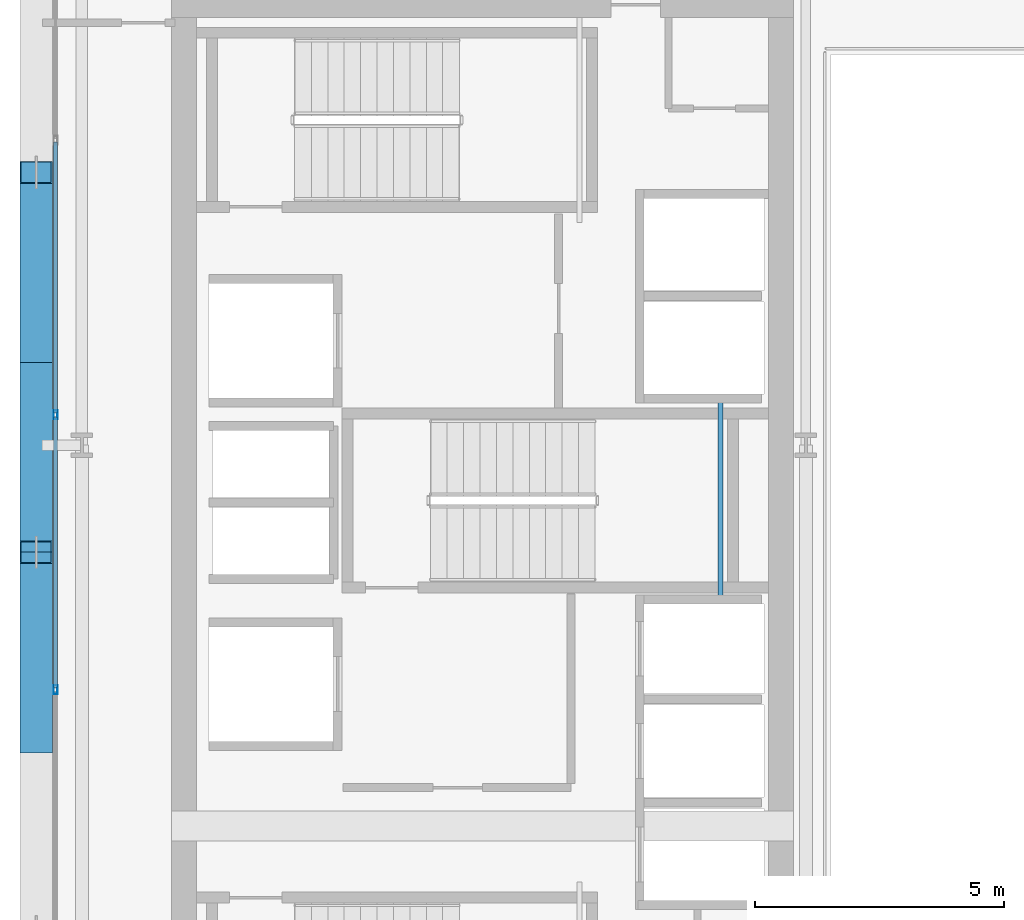
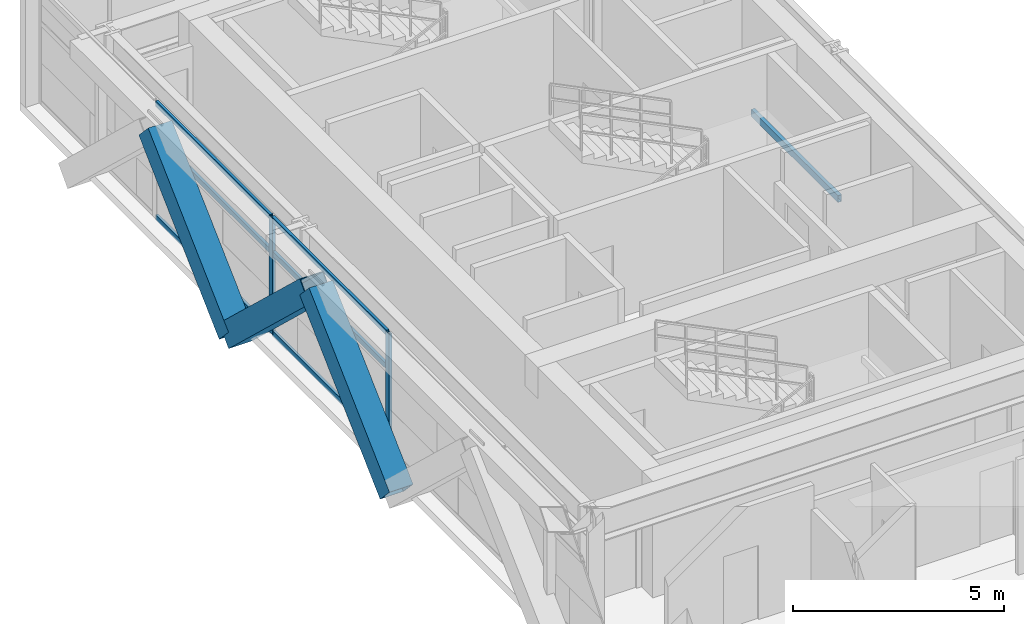
# One storey, part 7 of 31: 11 members, 1 beam, 1 element without a shape of its own.
"""IFC4 building model written with IfcOpenShell, lengths in metres."""

from ifc_helpers import new_model, si_unit, direction, frame, origin, origin_2d, place, context, subcontext, project, spatial, hollow_rectangle, extrude, source, transform, mapped, material, layer, layer_set, material_profile, profile_set, type_object, element, aggregate, save


model = new_model("IFC4")

# Units and contexts
model_context = context("Model", 3, precision=1e-05, world=origin(), true_north=direction((0.0, 1.0)))
body_context = subcontext(model_context, "Body", "Model", "MODEL_VIEW")
ifc_project = project(units=[si_unit("LENGTHUNIT", "METRE"), si_unit("AREAUNIT", "SQUARE_METRE"), si_unit("VOLUMEUNIT", "CUBIC_METRE"), si_unit("PLANEANGLEUNIT", "RADIAN"), si_unit("MASSUNIT", "GRAM", prefix="KILO")], contexts=[model_context])

# Site, building, storey
site_placement = place(None, origin())
site = spatial("IfcSite", under=ifc_project, at=site_placement, CompositionType="ELEMENT")
building_placement = place(site_placement, origin())
building = spatial("IfcBuilding", under=site, at=building_placement, Name="Ocotamira Hotel", CompositionType="ELEMENT")
storey_placement = place(building_placement, frame((0.0, 0.0, 188.39990234375)))
storey = spatial("IfcBuildingStorey", under=building, at=storey_placement, Name="L47", CompositionType="ELEMENT", Elevation=188.39990234375)

# Beam
ifc_material_1 = material(Name="Steel ASTM A500 Grade C", Category="steel")
ifc_material_profile_1 = material_profile(ifc_material_1, hollow_rectangle(XDim=0.10009765625, YDim=0.199951171875, WallThickness=0.008056640625, at=origin_2d()), Name="HSS200X100X8")
ifc_profile_set_1 = profile_set([ifc_material_profile_1], Name="Steel ASTM A500 Grade C")
beam_type = type_object("IfcBeamType", Name="BM-STLDG-HSS200", PredefinedType="BEAM", material=ifc_profile_set_1)
shared_shape_1 = source(origin(), body_context, "Body", "SweptSolid", [
    extrude(hollow_rectangle(XDim=0.10009765625, YDim=0.199951171875, WallThickness=0.008056640625, at=origin_2d()), origin(), (0.0, 0.0, 1.0), 4.1201171875),
])
beam_placement = place(storey_placement, frame((21.780029296875, 24.97998046875, 1.5), z_axis=(0.0, 1.0, 0.0), x_axis=(-1.0, 0.0, 0.0)))
element("IfcBeam", 1, at=beam_placement, inside=storey, type_object=beam_type, Name="L47 Stair ST-3 Landing Bearer 1", PredefinedType="BEAM", context=body_context, shape_type="MappedRepresentation", body=[
    mapped(shared_shape_1, transform((0.0, 0.0, 0.0), scale=1.0)),
])

# Members
ifc_material_2 = material(Name="Pale-metal coated steel ASTM A913 Grade 65", Category="steel")
ifc_material_profile_2 = material_profile(ifc_material_2, hollow_rectangle(XDim=0.64990234375, YDim=0.64990234375, WallThickness=0.02197265625, at=origin_2d()), Name="BOX650X650X22")
ifc_profile_set_2 = profile_set([ifc_material_profile_2], Name="Pale-metal coated steel ASTM A913 Grade 65")
member_type_1 = type_object("IfcMemberType", Name="MEM-EXO-BOX650", PredefinedType="BRACE", material=ifc_profile_set_2)
shared_shape_2 = source(origin(), body_context, "Body", "SweptSolid", [
    extrude(hollow_rectangle(XDim=0.64990234375, YDim=0.64990234375, WallThickness=0.02197265625, at=origin_2d()), origin(), (0.0, 0.0, 1.0), 5.24658203125),
])
for number, where, z_axis, x_axis, name in (
    (2, (8.030029296875, 22.183349609375, -0.47998046875), (0.0, 0.727442733726, 0.686168397078), (-1.0, 0.0, 0.0), "L47 Exoskeleton Diagrid W1.1"),
    (3, (8.030029296875, 29.816650390625, -0.47998046875), (0.0, -0.727442733726, 0.686168397078), (1.0, 0.0, 0.0), "L47 Exoskeleton Diagrid W1.2"),
    (4, (8.030029296875, 29.816650390625, -0.47998046875), (0.0, 0.727442733726, 0.686168397078), (-1.0, 0.0, 0.0), "L47 Exoskeleton Diagrid W2.1"),
):
    element("IfcMember", number, at=place(storey_placement, frame(where, z_axis=z_axis, x_axis=x_axis)), inside=storey, type_object=member_type_1, Name=name, PredefinedType="BRACE", context=body_context, shape_type="MappedRepresentation", body=[
        mapped(shared_shape_2, transform((0.0, 0.0, 0.0), scale=1.0)),
    ])

# Curtain wall, members
ifc_material_3 = material(Name="Anodised pale-metal aluminium and solar glass", Category="aluminium")
ifc_layer = layer(ifc_material_3, 0.199951171875)
ifc_layer_set = layer_set([ifc_layer], Name="Anodised pale-metal aluminium and solar glass")
curtain_wall_type = type_object("IfcCurtainWallType", Name="CW-SYS4-Z3", PredefinedType="NOTDEFINED", material=ifc_layer_set)
curtain_wall_placement = place(storey_placement, origin())
curtain_wall = element("IfcCurtainWall", 5, at=curtain_wall_placement, inside=storey, type_object=curtain_wall_type, Name="L47 Curtain Wall CW-4 CW-L47-W", PredefinedType="NOTDEFINED")
ifc_material_4 = material(Name="Anodised pale-metal aluminium 6063-T6", Category="aluminium")
ifc_material_profile_3 = material_profile(ifc_material_4, hollow_rectangle(XDim=0.080078125, YDim=0.179931640625, WallThickness=0.006103515625, at=origin_2d()), Name="HSS180X80X6")
ifc_profile_set_3 = profile_set([ifc_material_profile_3], Name="Anodised pale-metal aluminium 6063-T6")
member_type_2 = type_object("IfcMemberType", Name="CWM-180X75", PredefinedType="MULLION", material=ifc_profile_set_3)
shared_shape_3 = source(origin(), body_context, "Body", "SweptSolid", [
    extrude(hollow_rectangle(XDim=0.080078125, YDim=0.179931640625, WallThickness=0.006103515625, at=origin_2d()), origin(), (0.0, 0.0, 1.0), 3.3701171875),
])
member_1_placement = place(storey_placement, frame((8.419921875, 23.239990234375, 0.0), z_axis=(0.0, 0.0, 1.0), x_axis=(-1.0, 0.0, 0.0)))
member_1 = element("IfcMember", 6, at=member_1_placement, type_object=member_type_2, Name="CW-4 mullion 3", PredefinedType="MULLION", context=body_context, shape_type="MappedRepresentation", body=[
    mapped(shared_shape_3, transform((0.0, 0.0, 0.0), scale=1.0)),
])
member_2_placement = place(storey_placement, frame((8.419921875, 28.760009765625, 0.0), z_axis=(0.0, 0.0, 1.0), x_axis=(-1.0, 0.0, 0.0)))
member_2 = element("IfcMember", 7, at=member_2_placement, type_object=member_type_2, Name="CW-4 mullion 4", PredefinedType="MULLION", context=body_context, shape_type="MappedRepresentation", body=[
    mapped(shared_shape_3, transform((0.0, 0.0, 0.0), scale=1.0)),
])
ifc_material_profile_4 = material_profile(ifc_material_4, hollow_rectangle(XDim=0.074951171875, YDim=0.14990234375, WallThickness=0.006103515625, at=origin_2d()), Name="HSS150X75X6")
ifc_profile_set_4 = profile_set([ifc_material_profile_4], Name="Anodised pale-metal aluminium 6063-T6")
member_type_3 = type_object("IfcMemberType", Name="CWT-150X75", PredefinedType="USERDEFINED", material=ifc_profile_set_4)
shared_shape_4 = source(origin(), body_context, "Body", "SweptSolid", [
    extrude(hollow_rectangle(XDim=0.074951171875, YDim=0.14990234375, WallThickness=0.006103515625, at=origin_2d()), origin(), (0.0, 0.0, 1.0), 5.43994140625),
])
member_3_placement = place(storey_placement, frame((8.419921875, 23.280029296875, 0.03759765625), z_axis=(0.0, 1.0, 0.0), x_axis=(-1.0, 0.0, 0.0)))
member_3 = element("IfcMember", 8, at=member_3_placement, type_object=member_type_3, Name="CW-4 transom 3.1", ObjectType="TRANSOM", PredefinedType="USERDEFINED", context=body_context, shape_type="MappedRepresentation", body=[
    mapped(shared_shape_4, transform((0.0, 0.0, 0.0), scale=1.0)),
])
member_4_placement = place(storey_placement, frame((8.419921875, 23.280029296875, 2.35009765625), z_axis=(0.0, 1.0, 0.0), x_axis=(-1.0, 0.0, 0.0)))
member_4 = element("IfcMember", 9, at=member_4_placement, type_object=member_type_3, Name="CW-4 transom 3.2", ObjectType="TRANSOM", PredefinedType="USERDEFINED", context=body_context, shape_type="MappedRepresentation", body=[
    mapped(shared_shape_4, transform((0.0, 0.0, 0.0), scale=1.0)),
])
member_5_placement = place(storey_placement, frame((8.419921875, 23.280029296875, 3.33251953125), z_axis=(0.0, 1.0, 0.0), x_axis=(-1.0, 0.0, 0.0)))
member_5 = element("IfcMember", 10, at=member_5_placement, type_object=member_type_3, Name="CW-4 transom 3.3", ObjectType="TRANSOM", PredefinedType="USERDEFINED", context=body_context, shape_type="MappedRepresentation", body=[
    mapped(shared_shape_4, transform((0.0, 0.0, 0.0), scale=1.0)),
])
member_6_placement = place(storey_placement, frame((8.419921875, 28.800048828125, 0.03759765625), z_axis=(0.0, 1.0, 0.0), x_axis=(-1.0, 0.0, 0.0)))
member_6 = element("IfcMember", 11, at=member_6_placement, type_object=member_type_3, Name="CW-4 transom 4.1", ObjectType="TRANSOM", PredefinedType="USERDEFINED", context=body_context, shape_type="MappedRepresentation", body=[
    mapped(shared_shape_4, transform((0.0, 0.0, 0.0), scale=1.0)),
])
member_7_placement = place(storey_placement, frame((8.419921875, 28.800048828125, 2.35009765625), z_axis=(0.0, 1.0, 0.0), x_axis=(-1.0, 0.0, 0.0)))
member_7 = element("IfcMember", 12, at=member_7_placement, type_object=member_type_3, Name="CW-4 transom 4.2", ObjectType="TRANSOM", PredefinedType="USERDEFINED", context=body_context, shape_type="MappedRepresentation", body=[
    mapped(shared_shape_4, transform((0.0, 0.0, 0.0), scale=1.0)),
])
member_8_placement = place(storey_placement, frame((8.419921875, 28.800048828125, 3.33251953125), z_axis=(0.0, 1.0, 0.0), x_axis=(-1.0, 0.0, 0.0)))
member_8 = element("IfcMember", 13, at=member_8_placement, type_object=member_type_3, Name="CW-4 transom 4.3", ObjectType="TRANSOM", PredefinedType="USERDEFINED", context=body_context, shape_type="MappedRepresentation", body=[
    mapped(shared_shape_4, transform((0.0, 0.0, 0.0), scale=1.0)),
])
aggregate(curtain_wall, [member_1, member_2, member_3, member_4, member_5, member_6, member_7, member_8])

save(model, "model.ifc")
